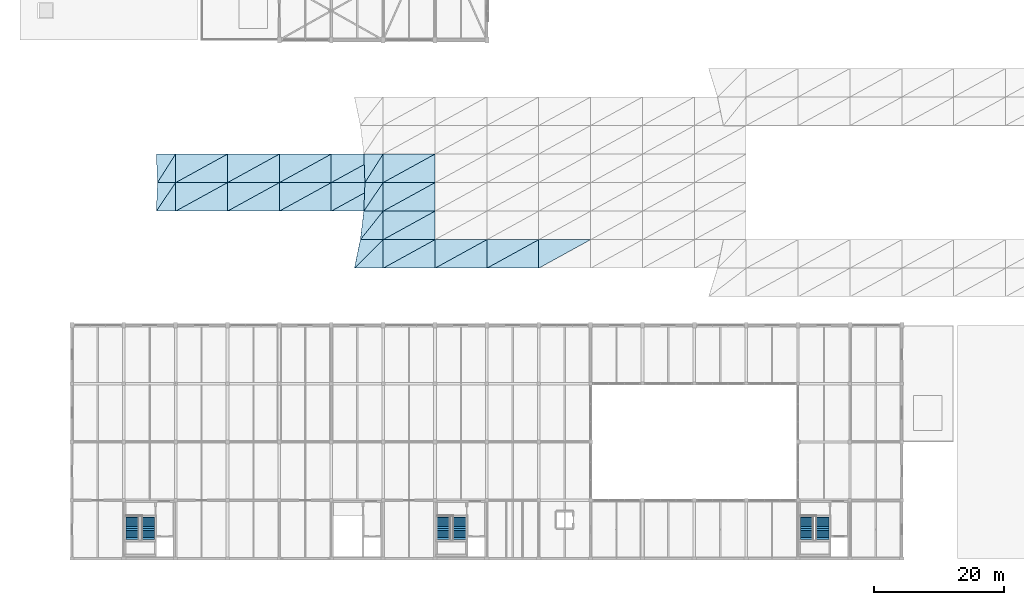
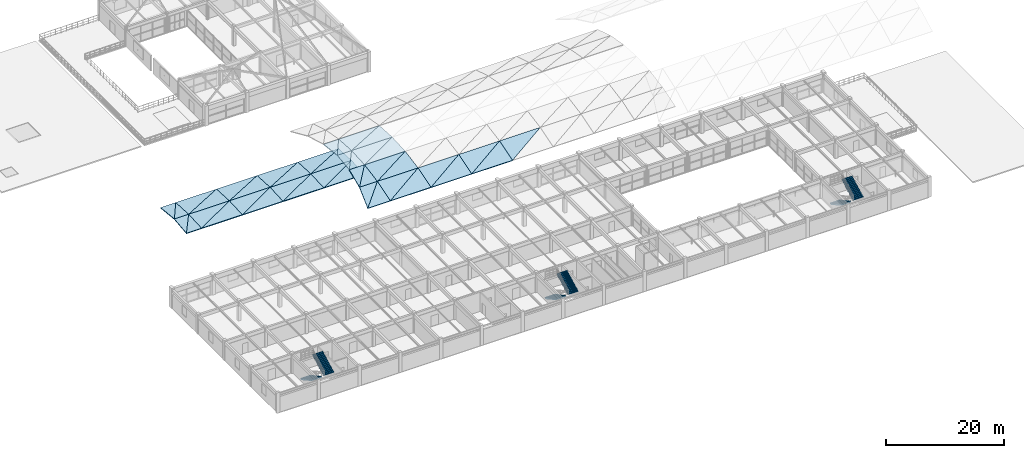
# One storey, part 49 of 63: 41 roofs, 6 stair flights, 3 elements without a shape of their own.
"""IFC4 building model written with IfcOpenShell, lengths in metres."""

from ifc_helpers import new_model, si_unit, direction, frame, origin, place, context, subcontext, project, spatial, polyline, outline, extrude, material, layer, layer_set, type_object, element, aggregate, save


model = new_model("IFC4")

# Units and contexts
model_context = context("Model", 3, precision=1e-05, world=origin(), true_north=direction((0.0, 1.0)))
body_context = subcontext(model_context, "Body", "Model", "MODEL_VIEW")
ifc_project = project(units=[si_unit("LENGTHUNIT", "METRE"), si_unit("AREAUNIT", "SQUARE_METRE"), si_unit("VOLUMEUNIT", "CUBIC_METRE"), si_unit("PLANEANGLEUNIT", "RADIAN"), si_unit("MASSUNIT", "GRAM", prefix="KILO")], contexts=[model_context])

# Site, building, storey
site_placement = place(None, origin())
site = spatial("IfcSite", under=ifc_project, at=site_placement, CompositionType="ELEMENT")
building_placement = place(site_placement, origin())
building = spatial("IfcBuilding", under=site, at=building_placement, Name="Varnabhumi Central Station", CompositionType="ELEMENT")
storey_placement = place(building_placement, frame((0.0, 0.0, 20.39990234375)))
storey = spatial("IfcBuildingStorey", under=building, at=storey_placement, Name="L04", CompositionType="ELEMENT", Elevation=20.39990234375)

# Stair, stair flights
ifc_material_1 = material(Name="Concrete M40", Category="concrete")
stair_type = type_object("IfcStairType", Name="STR-CORE-4200", PredefinedType="DOUBLE_RETURN_STAIR", material=ifc_material_1)
stair_1_placement = place(storey_placement, origin())
stair_1 = element("IfcStair", 1, at=stair_1_placement, inside=storey, type_object=stair_type, Name="Core Stair ST-S1 (L04)", PredefinedType="DOUBLE_RETURN_STAIR")
stair_flight_type = type_object("IfcStairFlightType", Name="FLT-CORE-1500", PredefinedType="STRAIGHT", material=ifc_material_1)
stair_flight_1_placement = place(storey_placement, frame((41.35009765625, 6.659912109375, 0.0), z_axis=(0.0, 0.0, 1.0), x_axis=(0.0, -1.0, 0.0)))
stair_flight_1 = element("IfcStairFlight", 2, at=stair_flight_1_placement, type_object=stair_flight_type, Name="ST-S1 L04 Lower Flight", NumberOfRisers=14, NumberOfTreads=13, PredefinedType="STRAIGHT", RiserHeight=0.15, TreadLength=0.285, context=body_context, shape_type="SweptSolid", body=[
    extrude(outline(polyline([(-0.06005859375, -0.080078125), (-0.06005859375, 0.0), (0.0, 0.0), (0.0, 0.14990234375), (0.284912109375, 0.14990234375), (0.284912109375, 0.300048828125), (0.570068359375, 0.300048828125), (0.570068359375, 0.449951171875), (0.85498046875, 0.449951171875), (0.85498046875, 0.60009765625), (1.139892578125, 0.60009765625), (1.139892578125, 0.75), (1.425048828125, 0.75), (1.425048828125, 0.89990234375), (1.7099609375, 0.89990234375), (1.7099609375, 1.050048828125), (1.9951171875, 1.050048828125), (1.9951171875, 1.199951171875), (2.280029296875, 1.199951171875), (2.280029296875, 1.35009765625), (2.56494140625, 1.35009765625), (2.56494140625, 1.5), (2.85009765625, 1.5), (2.85009765625, 1.64990234375), (3.135009765625, 1.64990234375), (3.135009765625, 1.800048828125), (3.419921875, 1.800048828125), (3.419921875, 1.949951171875), (3.705078125, 1.949951171875), (3.705078125, 2.10009765625), (3.764892578125, 2.10009765625), (3.764892578125, 1.940185546875), (3.705078125, 1.769287109375), (0.34326171875, -0.080078125), (-0.06005859375, -0.080078125)])), frame((0.0, 1.0, 0.0), z_axis=(0.0, -1.0, 0.0), x_axis=(1.0, 0.0, 0.0)), (0.0, 0.0, 1.0), 2.0),
])
stair_flight_2_placement = place(storey_placement, frame((43.75, 2.955078125, 2.10009765625), z_axis=(0.0, 0.0, 1.0), x_axis=(0.0, 1.0, 0.0)))
stair_flight_2 = element("IfcStairFlight", 3, at=stair_flight_2_placement, type_object=stair_flight_type, Name="ST-S1 L04 Upper Flight", NumberOfRisers=14, NumberOfTreads=13, PredefinedType="STRAIGHT", RiserHeight=0.15, TreadLength=0.285, context=body_context, shape_type="SweptSolid", body=[
    extrude(outline(polyline([(-0.06005859375, -0.080078125), (-0.06005859375, 0.0), (0.0, 0.0), (0.0, 0.14990234375), (0.284912109375, 0.14990234375), (0.284912109375, 0.300048828125), (0.570068359375, 0.300048828125), (0.570068359375, 0.449951171875), (0.85498046875, 0.449951171875), (0.85498046875, 0.60009765625), (1.139892578125, 0.60009765625), (1.139892578125, 0.75), (1.425048828125, 0.75), (1.425048828125, 0.89990234375), (1.7099609375, 0.89990234375), (1.7099609375, 1.050048828125), (1.9951171875, 1.050048828125), (1.9951171875, 1.199951171875), (2.280029296875, 1.199951171875), (2.280029296875, 1.35009765625), (2.56494140625, 1.35009765625), (2.56494140625, 1.5), (2.85009765625, 1.5), (2.85009765625, 1.64990234375), (3.135009765625, 1.64990234375), (3.135009765625, 1.800048828125), (3.419921875, 1.800048828125), (3.419921875, 1.949951171875), (3.705078125, 1.949951171875), (3.705078125, 2.10009765625), (3.764892578125, 2.10009765625), (3.764892578125, 1.940185546875), (3.705078125, 1.769287109375), (0.34326171875, -0.080078125), (-0.06005859375, -0.080078125)])), frame((0.0, 1.0, 0.0), z_axis=(0.0, -1.0, 0.0), x_axis=(1.0, 0.0, 0.0)), (0.0, 0.0, 1.0), 2.0),
])
aggregate(stair_1, [stair_flight_1, stair_flight_2])

stair_2_placement = place(storey_placement, origin())
stair_2 = element("IfcStair", 4, at=stair_2_placement, inside=storey, type_object=stair_type, Name="Core Stair ST-S2 (L04)", PredefinedType="DOUBLE_RETURN_STAIR")
stair_flight_3_placement = place(storey_placement, frame((89.35009765625, 6.659912109375, 0.0), z_axis=(0.0, 0.0, 1.0), x_axis=(0.0, -1.0, 0.0)))
stair_flight_3 = element("IfcStairFlight", 5, at=stair_flight_3_placement, type_object=stair_flight_type, Name="ST-S2 L04 Lower Flight", NumberOfRisers=14, NumberOfTreads=13, PredefinedType="STRAIGHT", RiserHeight=0.15, TreadLength=0.285, context=body_context, shape_type="SweptSolid", body=[
    extrude(outline(polyline([(-0.06005859375, -0.080078125), (-0.06005859375, 0.0), (0.0, 0.0), (0.0, 0.14990234375), (0.284912109375, 0.14990234375), (0.284912109375, 0.300048828125), (0.570068359375, 0.300048828125), (0.570068359375, 0.449951171875), (0.85498046875, 0.449951171875), (0.85498046875, 0.60009765625), (1.139892578125, 0.60009765625), (1.139892578125, 0.75), (1.425048828125, 0.75), (1.425048828125, 0.89990234375), (1.7099609375, 0.89990234375), (1.7099609375, 1.050048828125), (1.9951171875, 1.050048828125), (1.9951171875, 1.199951171875), (2.280029296875, 1.199951171875), (2.280029296875, 1.35009765625), (2.56494140625, 1.35009765625), (2.56494140625, 1.5), (2.85009765625, 1.5), (2.85009765625, 1.64990234375), (3.135009765625, 1.64990234375), (3.135009765625, 1.800048828125), (3.419921875, 1.800048828125), (3.419921875, 1.949951171875), (3.705078125, 1.949951171875), (3.705078125, 2.10009765625), (3.764892578125, 2.10009765625), (3.764892578125, 1.940185546875), (3.705078125, 1.769287109375), (0.34326171875, -0.080078125), (-0.06005859375, -0.080078125)])), frame((0.0, 1.0, 0.0), z_axis=(0.0, -1.0, 0.0), x_axis=(1.0, 0.0, 0.0)), (0.0, 0.0, 1.0), 2.0),
])
stair_flight_4_placement = place(storey_placement, frame((91.75, 2.955078125, 2.10009765625), z_axis=(0.0, 0.0, 1.0), x_axis=(0.0, 1.0, 0.0)))
stair_flight_4 = element("IfcStairFlight", 6, at=stair_flight_4_placement, type_object=stair_flight_type, Name="ST-S2 L04 Upper Flight", NumberOfRisers=14, NumberOfTreads=13, PredefinedType="STRAIGHT", RiserHeight=0.15, TreadLength=0.285, context=body_context, shape_type="SweptSolid", body=[
    extrude(outline(polyline([(-0.06005859375, -0.080078125), (-0.06005859375, 0.0), (0.0, 0.0), (0.0, 0.14990234375), (0.284912109375, 0.14990234375), (0.284912109375, 0.300048828125), (0.570068359375, 0.300048828125), (0.570068359375, 0.449951171875), (0.85498046875, 0.449951171875), (0.85498046875, 0.60009765625), (1.139892578125, 0.60009765625), (1.139892578125, 0.75), (1.425048828125, 0.75), (1.425048828125, 0.89990234375), (1.7099609375, 0.89990234375), (1.7099609375, 1.050048828125), (1.9951171875, 1.050048828125), (1.9951171875, 1.199951171875), (2.280029296875, 1.199951171875), (2.280029296875, 1.35009765625), (2.56494140625, 1.35009765625), (2.56494140625, 1.5), (2.85009765625, 1.5), (2.85009765625, 1.64990234375), (3.135009765625, 1.64990234375), (3.135009765625, 1.800048828125), (3.419921875, 1.800048828125), (3.419921875, 1.949951171875), (3.705078125, 1.949951171875), (3.705078125, 2.10009765625), (3.764892578125, 2.10009765625), (3.764892578125, 1.940185546875), (3.705078125, 1.769287109375), (0.34326171875, -0.080078125), (-0.06005859375, -0.080078125)])), frame((0.0, 1.0, 0.0), z_axis=(0.0, -1.0, 0.0), x_axis=(1.0, 0.0, 0.0)), (0.0, 0.0, 1.0), 2.0),
])
aggregate(stair_2, [stair_flight_3, stair_flight_4])

stair_3_placement = place(storey_placement, origin())
stair_3 = element("IfcStair", 7, at=stair_3_placement, inside=storey, type_object=stair_type, Name="Core Stair ST-S3 (L04)", PredefinedType="DOUBLE_RETURN_STAIR")
stair_flight_5_placement = place(storey_placement, frame((145.35009765625, 6.659912109375, 0.0), z_axis=(0.0, 0.0, 1.0), x_axis=(0.0, -1.0, 0.0)))
stair_flight_5 = element("IfcStairFlight", 8, at=stair_flight_5_placement, type_object=stair_flight_type, Name="ST-S3 L04 Lower Flight", NumberOfRisers=14, NumberOfTreads=13, PredefinedType="STRAIGHT", RiserHeight=0.15, TreadLength=0.285, context=body_context, shape_type="SweptSolid", body=[
    extrude(outline(polyline([(-0.06005859375, -0.080078125), (-0.06005859375, 0.0), (0.0, 0.0), (0.0, 0.14990234375), (0.284912109375, 0.14990234375), (0.284912109375, 0.300048828125), (0.570068359375, 0.300048828125), (0.570068359375, 0.449951171875), (0.85498046875, 0.449951171875), (0.85498046875, 0.60009765625), (1.139892578125, 0.60009765625), (1.139892578125, 0.75), (1.425048828125, 0.75), (1.425048828125, 0.89990234375), (1.7099609375, 0.89990234375), (1.7099609375, 1.050048828125), (1.9951171875, 1.050048828125), (1.9951171875, 1.199951171875), (2.280029296875, 1.199951171875), (2.280029296875, 1.35009765625), (2.56494140625, 1.35009765625), (2.56494140625, 1.5), (2.85009765625, 1.5), (2.85009765625, 1.64990234375), (3.135009765625, 1.64990234375), (3.135009765625, 1.800048828125), (3.419921875, 1.800048828125), (3.419921875, 1.949951171875), (3.705078125, 1.949951171875), (3.705078125, 2.10009765625), (3.764892578125, 2.10009765625), (3.764892578125, 1.940185546875), (3.705078125, 1.769287109375), (0.34326171875, -0.080078125), (-0.06005859375, -0.080078125)])), frame((0.0, 1.0, 0.0), z_axis=(0.0, -1.0, 0.0), x_axis=(1.0, 0.0, 0.0)), (0.0, 0.0, 1.0), 2.0),
])
stair_flight_6_placement = place(storey_placement, frame((147.75, 2.955078125, 2.10009765625), z_axis=(0.0, 0.0, 1.0), x_axis=(0.0, 1.0, 0.0)))
stair_flight_6 = element("IfcStairFlight", 9, at=stair_flight_6_placement, type_object=stair_flight_type, Name="ST-S3 L04 Upper Flight", NumberOfRisers=14, NumberOfTreads=13, PredefinedType="STRAIGHT", RiserHeight=0.15, TreadLength=0.285, context=body_context, shape_type="SweptSolid", body=[
    extrude(outline(polyline([(-0.06005859375, -0.080078125), (-0.06005859375, 0.0), (0.0, 0.0), (0.0, 0.14990234375), (0.284912109375, 0.14990234375), (0.284912109375, 0.300048828125), (0.570068359375, 0.300048828125), (0.570068359375, 0.449951171875), (0.85498046875, 0.449951171875), (0.85498046875, 0.60009765625), (1.139892578125, 0.60009765625), (1.139892578125, 0.75), (1.425048828125, 0.75), (1.425048828125, 0.89990234375), (1.7099609375, 0.89990234375), (1.7099609375, 1.050048828125), (1.9951171875, 1.050048828125), (1.9951171875, 1.199951171875), (2.280029296875, 1.199951171875), (2.280029296875, 1.35009765625), (2.56494140625, 1.35009765625), (2.56494140625, 1.5), (2.85009765625, 1.5), (2.85009765625, 1.64990234375), (3.135009765625, 1.64990234375), (3.135009765625, 1.800048828125), (3.419921875, 1.800048828125), (3.419921875, 1.949951171875), (3.705078125, 1.949951171875), (3.705078125, 2.10009765625), (3.764892578125, 2.10009765625), (3.764892578125, 1.940185546875), (3.705078125, 1.769287109375), (0.34326171875, -0.080078125), (-0.06005859375, -0.080078125)])), frame((0.0, 1.0, 0.0), z_axis=(0.0, -1.0, 0.0), x_axis=(1.0, 0.0, 0.0)), (0.0, 0.0, 1.0), 2.0),
])
aggregate(stair_3, [stair_flight_5, stair_flight_6])

# Roofs
ifc_material_2 = material(Name="Champagne bronze diamond metal panel")
ifc_layer = layer(ifc_material_2, 0.159912109375, Name="Champagne bronze diamond metal panel")
ifc_layer_set = layer_set([ifc_layer], Name="Champagne bronze diamond metal panel")
roof_type = type_object("IfcRoofType", Name="ROOF-VAULT-BARREL", PredefinedType="BARREL_ROOF", material=ifc_layer_set)
roof_1_placement = place(storey_placement, frame((45.0244140625, 53.60009765625, 0.1181640625), z_axis=(0.0, -0.052142930518, 0.998639632098), x_axis=(1.0, 0.0, 0.0)))
element("IfcRoof", 10, at=roof_1_placement, inside=storey, type_object=roof_type, Name="Ticket Hall Vault Diamond Shell Panel 1-5A", PredefinedType="BARREL_ROOF", context=body_context, shape_type="SweptSolid", body=[
    extrude(outline(polyline([(0.0, 0.0), (2.9755859375, 0.0), (2.9755859375, 4.405895983224877), (0.0, 0.0)])), origin(), (0.0, 0.0, -1.0), 0.159912109375),
])
roof_2_placement = place(storey_placement, frame((45.0244140625, 53.60009765625, 0.1181640625), z_axis=(0.0, -0.052142930518, 0.998639632098), x_axis=(0.559680378441, 0.827581209408, 0.043211292756)))
element("IfcRoof", 11, at=roof_2_placement, inside=storey, type_object=roof_type, Name="Ticket Hall Vault Diamond Shell Panel 1-5B", PredefinedType="BARREL_ROOF", context=body_context, shape_type="SweptSolid", body=[
    extrude(outline(polyline([(0.0, 0.0), (5.316580770236153, -3.7296554733501353e-16), (3.7494483824567766, 2.320424426491217), (0.0, 0.0)])), origin(), (0.0, 0.0, -1.0), 0.159912109375),
])
roof_3_placement = place(storey_placement, frame((45.199951171875, 58.0, 0.347900390625), z_axis=(0.0, 0.052142930518, 0.998639632098), x_axis=(1.0, 0.0, 0.0)))
element("IfcRoof", 12, at=roof_3_placement, inside=storey, type_object=roof_type, Name="Ticket Hall Vault Diamond Shell Panel 1-6A", PredefinedType="BARREL_ROOF", context=body_context, shape_type="SweptSolid", body=[
    extrude(outline(polyline([(0.0, 0.0), (2.800048828125, 0.0), (2.800048828125, 4.405895983224878), (0.0, 0.0)])), origin(), (0.0, 0.0, -1.0), 0.159912109375),
])
roof_4_placement = place(storey_placement, frame((45.199951171875, 58.0, 0.347900390625), z_axis=(0.0, 0.052142930518, 0.998639632098), x_axis=(0.536370492597, 0.842834511953, -0.044007728096)))
element("IfcRoof", 13, at=roof_4_placement, inside=storey, type_object=roof_type, Name="Ticket Hall Vault Diamond Shell Panel 1-6B", PredefinedType="BARREL_ROOF", context=body_context, shape_type="SweptSolid", body=[
    extrude(outline(polyline([(0.0, 0.0), (5.220363287634424, 6.42715047849407e-16), (3.6243467925721413, 2.5113428716399646), (0.0, 0.0)])), origin(), (0.0, 0.0, -1.0), 0.159912109375),
])
roof_5_placement = place(storey_placement, frame((48.0, 53.60009765625, 0.1181640625), z_axis=(0.0, -0.052142930518, 0.998639632098), x_axis=(1.0, 0.0, 0.0)))
element("IfcRoof", 14, at=roof_5_placement, inside=storey, type_object=roof_type, Name="Ticket Hall Vault Diamond Shell Panel 2-5A", PredefinedType="BARREL_ROOF", context=body_context, shape_type="SweptSolid", body=[
    extrude(outline(polyline([(0.0, 0.0), (8.0, 0.0), (8.0, 4.405895983224877), (0.0, 0.0)])), origin(), (0.0, 0.0, -1.0), 0.159912109375),
])
roof_6_placement = place(storey_placement, frame((48.0, 53.60009765625, 0.1181640625), z_axis=(0.0, -0.052142930518, 0.998639632098), x_axis=(0.875943167688, 0.481758049563, 0.025154495874)))
element("IfcRoof", 15, at=roof_6_placement, inside=storey, type_object=roof_type, Name="Ticket Hall Vault Diamond Shell Panel 2-5B", PredefinedType="BARREL_ROOF", context=body_context, shape_type="SweptSolid", body=[
    extrude(outline(polyline([(0.0, 0.0), (9.133012614411363, -4.77048955893622e-16), (2.125467272909075, 3.859314484048891), (0.0, 0.0)])), origin(), (0.0, 0.0, -1.0), 0.159912109375),
])
roof_7_placement = place(storey_placement, frame((48.0, 58.0, 0.347900390625), z_axis=(0.0, 0.052142930518, 0.998639632098), x_axis=(1.0, 0.0, 0.0)))
element("IfcRoof", 16, at=roof_7_placement, inside=storey, type_object=roof_type, Name="Ticket Hall Vault Diamond Shell Panel 2-6A", PredefinedType="BARREL_ROOF", context=body_context, shape_type="SweptSolid", body=[
    extrude(outline(polyline([(0.0, 0.0), (8.0, 0.0), (8.0, 4.405895983224877), (0.0, 0.0)])), origin(), (0.0, 0.0, -1.0), 0.159912109375),
])
roof_8_placement = place(storey_placement, frame((48.0, 58.0, 0.347900390625), z_axis=(0.0, 0.052142930518, 0.998639632098), x_axis=(0.875943167688, 0.481758049563, -0.025154495874)))
element("IfcRoof", 17, at=roof_8_placement, inside=storey, type_object=roof_type, Name="Ticket Hall Vault Diamond Shell Panel 2-6B", PredefinedType="BARREL_ROOF", context=body_context, shape_type="SweptSolid", body=[
    extrude(outline(polyline([(0.0, 0.0), (9.133012614411363, -4.77048955893622e-16), (2.125467272909075, 3.859314484048891), (0.0, 0.0)])), origin(), (0.0, 0.0, -1.0), 0.159912109375),
])
roof_9_placement = place(storey_placement, frame((56.0, 53.60009765625, 0.1181640625), z_axis=(0.0, -0.052142930518, 0.998639632098), x_axis=(1.0, 0.0, 0.0)))
element("IfcRoof", 18, at=roof_9_placement, inside=storey, type_object=roof_type, Name="Ticket Hall Vault Diamond Shell Panel 3-5A", PredefinedType="BARREL_ROOF", context=body_context, shape_type="SweptSolid", body=[
    extrude(outline(polyline([(0.0, 0.0), (8.0, 0.0), (8.0, 4.405895983224877), (0.0, 0.0)])), origin(), (0.0, 0.0, -1.0), 0.159912109375),
])
roof_10_placement = place(storey_placement, frame((56.0, 53.60009765625, 0.1181640625), z_axis=(0.0, -0.052142930518, 0.998639632098), x_axis=(0.875943167688, 0.481758049563, 0.025154495874)))
element("IfcRoof", 19, at=roof_10_placement, inside=storey, type_object=roof_type, Name="Ticket Hall Vault Diamond Shell Panel 3-5B", PredefinedType="BARREL_ROOF", context=body_context, shape_type="SweptSolid", body=[
    extrude(outline(polyline([(0.0, 0.0), (9.133012614411363, -4.77048955893622e-16), (2.125467272909075, 3.859314484048891), (0.0, 0.0)])), origin(), (0.0, 0.0, -1.0), 0.159912109375),
])
roof_11_placement = place(storey_placement, frame((56.0, 58.0, 0.347900390625), z_axis=(0.0, 0.052142930518, 0.998639632098), x_axis=(1.0, 0.0, 0.0)))
element("IfcRoof", 20, at=roof_11_placement, inside=storey, type_object=roof_type, Name="Ticket Hall Vault Diamond Shell Panel 3-6A", PredefinedType="BARREL_ROOF", context=body_context, shape_type="SweptSolid", body=[
    extrude(outline(polyline([(0.0, 0.0), (8.0, 0.0), (8.0, 4.405895983224877), (0.0, 0.0)])), origin(), (0.0, 0.0, -1.0), 0.159912109375),
])
roof_12_placement = place(storey_placement, frame((56.0, 58.0, 0.347900390625), z_axis=(0.0, 0.052142930518, 0.998639632098), x_axis=(0.875943167688, 0.481758049563, -0.025154495874)))
element("IfcRoof", 21, at=roof_12_placement, inside=storey, type_object=roof_type, Name="Ticket Hall Vault Diamond Shell Panel 3-6B", PredefinedType="BARREL_ROOF", context=body_context, shape_type="SweptSolid", body=[
    extrude(outline(polyline([(0.0, 0.0), (9.133012614411363, -4.77048955893622e-16), (2.125467272909075, 3.859314484048891), (0.0, 0.0)])), origin(), (0.0, 0.0, -1.0), 0.159912109375),
])
roof_13_placement = place(storey_placement, frame((64.0, 53.60009765625, 0.1181640625), z_axis=(0.0, -0.052142930518, 0.998639632098), x_axis=(1.0, 0.0, 0.0)))
element("IfcRoof", 22, at=roof_13_placement, inside=storey, type_object=roof_type, Name="Ticket Hall Vault Diamond Shell Panel 4-5A", PredefinedType="BARREL_ROOF", context=body_context, shape_type="SweptSolid", body=[
    extrude(outline(polyline([(0.0, 0.0), (8.0, 0.0), (8.0, 4.405895983224877), (0.0, 0.0)])), origin(), (0.0, 0.0, -1.0), 0.159912109375),
])
roof_14_placement = place(storey_placement, frame((64.0, 53.60009765625, 0.1181640625), z_axis=(0.0, -0.052142930518, 0.998639632098), x_axis=(0.875943167688, 0.481758049563, 0.025154495874)))
element("IfcRoof", 23, at=roof_14_placement, inside=storey, type_object=roof_type, Name="Ticket Hall Vault Diamond Shell Panel 4-5B", PredefinedType="BARREL_ROOF", context=body_context, shape_type="SweptSolid", body=[
    extrude(outline(polyline([(0.0, 0.0), (9.133012614411363, -4.77048955893622e-16), (2.125467272909075, 3.859314484048891), (0.0, 0.0)])), origin(), (0.0, 0.0, -1.0), 0.159912109375),
])
roof_15_placement = place(storey_placement, frame((64.0, 58.0, 0.347900390625), z_axis=(0.0, 0.052142930518, 0.998639632098), x_axis=(1.0, 0.0, 0.0)))
element("IfcRoof", 24, at=roof_15_placement, inside=storey, type_object=roof_type, Name="Ticket Hall Vault Diamond Shell Panel 4-6A", PredefinedType="BARREL_ROOF", context=body_context, shape_type="SweptSolid", body=[
    extrude(outline(polyline([(0.0, 0.0), (8.0, 0.0), (8.0, 4.405895983224877), (0.0, 0.0)])), origin(), (0.0, 0.0, -1.0), 0.159912109375),
])
roof_16_placement = place(storey_placement, frame((64.0, 58.0, 0.347900390625), z_axis=(0.0, 0.052142930518, 0.998639632098), x_axis=(0.875943167688, 0.481758049563, -0.025154495874)))
element("IfcRoof", 25, at=roof_16_placement, inside=storey, type_object=roof_type, Name="Ticket Hall Vault Diamond Shell Panel 4-6B", PredefinedType="BARREL_ROOF", context=body_context, shape_type="SweptSolid", body=[
    extrude(outline(polyline([(0.0, 0.0), (9.133012614411363, -4.77048955893622e-16), (2.125467272909075, 3.859314484048891), (0.0, 0.0)])), origin(), (0.0, 0.0, -1.0), 0.159912109375),
])
roof_17_placement = place(storey_placement, frame((72.0, 53.60009765625, 0.1181640625), z_axis=(0.0, -0.052142930518, 0.998639632098), x_axis=(1.0, 0.0, 0.0)))
element("IfcRoof", 26, at=roof_17_placement, inside=storey, type_object=roof_type, Name="Ticket Hall Vault Diamond Shell Panel 5-5A", PredefinedType="BARREL_ROOF", context=body_context, shape_type="SweptSolid", body=[
    extrude(outline(polyline([(0.0, 0.0), (8.0, 0.0), (8.0, 4.405895983224877), (0.0, 0.0)])), origin(), (0.0, 0.0, -1.0), 0.159912109375),
])
roof_18_placement = place(storey_placement, frame((72.0, 53.60009765625, 0.1181640625), z_axis=(0.0, -0.052142930518, 0.998639632098), x_axis=(0.875943167688, 0.481758049563, 0.025154495874)))
element("IfcRoof", 27, at=roof_18_placement, inside=storey, type_object=roof_type, Name="Ticket Hall Vault Diamond Shell Panel 5-5B", PredefinedType="BARREL_ROOF", context=body_context, shape_type="SweptSolid", body=[
    extrude(outline(polyline([(0.0, 0.0), (9.133012614411363, -4.77048955893622e-16), (2.125467272909075, 3.859314484048891), (0.0, 0.0)])), origin(), (0.0, 0.0, -1.0), 0.159912109375),
])
roof_19_placement = place(storey_placement, frame((72.0, 58.0, 0.347900390625), z_axis=(0.0, 0.052142930518, 0.998639632098), x_axis=(1.0, 0.0, 0.0)))
element("IfcRoof", 28, at=roof_19_placement, inside=storey, type_object=roof_type, Name="Ticket Hall Vault Diamond Shell Panel 5-6A", PredefinedType="BARREL_ROOF", context=body_context, shape_type="SweptSolid", body=[
    extrude(outline(polyline([(0.0, 0.0), (8.0, 0.0), (8.0, 4.405895983224877), (0.0, 0.0)])), origin(), (0.0, 0.0, -1.0), 0.159912109375),
])
roof_20_placement = place(storey_placement, frame((72.0, 58.0, 0.347900390625), z_axis=(0.0, 0.052142930518, 0.998639632098), x_axis=(0.875943167688, 0.481758049563, -0.025154495874)))
element("IfcRoof", 29, at=roof_20_placement, inside=storey, type_object=roof_type, Name="Ticket Hall Vault Diamond Shell Panel 5-6B", PredefinedType="BARREL_ROOF", context=body_context, shape_type="SweptSolid", body=[
    extrude(outline(polyline([(0.0, 0.0), (9.133012614411363, -4.77048955893622e-16), (2.125467272909075, 3.859314484048891), (0.0, 0.0)])), origin(), (0.0, 0.0, -1.0), 0.159912109375),
])
roof_21_placement = place(storey_placement, frame((75.577392578125, 44.800048828125, -0.053466796875), z_axis=(0.0, -0.297557021259, 0.954704047912), x_axis=(1.0, 0.0, 0.0)))
element("IfcRoof", 30, at=roof_21_placement, inside=storey, type_object=roof_type, Name="Departure Concourse Vault Diamond Shell Panel 1-3A", PredefinedType="BARREL_ROOF", context=body_context, shape_type="SweptSolid", body=[
    extrude(outline(polyline([(0.0, 0.0), (4.422607421875, 0.0), (4.422607421875, 4.608655795869396), (0.0, 0.0)])), origin(), (0.0, 0.0, -1.0), 0.159912109375),
])
roof_22_placement = place(storey_placement, frame((75.577392578125, 44.800048828125, -0.053466796875), z_axis=(0.0, -0.297557021259, 0.954704047912), x_axis=(0.69239313751, 0.688838483258, 0.214693472448)))
element("IfcRoof", 31, at=roof_22_placement, inside=storey, type_object=roof_type, Name="Departure Concourse Vault Diamond Shell Panel 1-3B", PredefinedType="BARREL_ROOF", context=body_context, shape_type="SweptSolid", body=[
    extrude(outline(polyline([(0.0, 0.0), (6.387422379397218, -6.661338147750939e-16), (3.9581299528439957, 2.5314868704194398), (0.0, 0.0)])), origin(), (0.0, 0.0, -1.0), 0.159912109375),
])
roof_23_placement = place(storey_placement, frame((76.491455078125, 49.199951171875, 1.312744140625), z_axis=(0.0, -0.17878455364, 0.983888247404), x_axis=(1.0, 0.0, 0.0)))
element("IfcRoof", 32, at=roof_23_placement, inside=storey, type_object=roof_type, Name="Departure Concourse Vault Diamond Shell Panel 1-4A", PredefinedType="BARREL_ROOF", context=body_context, shape_type="SweptSolid", body=[
    extrude(outline(polyline([(0.0, 0.0), (3.508544921875, 0.0), (3.508544921875, 4.472201488313861), (0.0, 0.0)])), origin(), (0.0, 0.0, -1.0), 0.159912109375),
])
roof_24_placement = place(storey_placement, frame((76.491455078125, 49.199951171875, 1.312744140625), z_axis=(0.0, -0.17878455364, 0.983888247404), x_axis=(0.617241871441, 0.774097157399, 0.140662941269)))
element("IfcRoof", 33, at=roof_24_placement, inside=storey, type_object=roof_type, Name="Departure Concourse Vault Diamond Shell Panel 1-4B", PredefinedType="BARREL_ROOF", context=body_context, shape_type="SweptSolid", body=[
    extrude(outline(polyline([(0.0, 0.0), (5.684230257553927, 4.718447854656915e-16), (3.8475740248574555, 2.3411120337021387), (0.0, 0.0)])), origin(), (0.0, 0.0, -1.0), 0.159912109375),
])
roof_25_placement = place(storey_placement, frame((77.0244140625, 53.60009765625, 2.110107421875), z_axis=(0.0, -0.059709058743, 0.998215822507), x_axis=(1.0, 0.0, 0.0)))
element("IfcRoof", 34, at=roof_25_placement, inside=storey, type_object=roof_type, Name="Departure Concourse Vault Diamond Shell Panel 1-5A", PredefinedType="BARREL_ROOF", context=body_context, shape_type="SweptSolid", body=[
    extrude(outline(polyline([(0.0, 0.0), (2.9755859375, 0.0), (2.9755859375, 4.407766581677835), (0.0, 0.0)])), origin(), (0.0, 0.0, -1.0), 0.159912109375),
])
roof_26_placement = place(storey_placement, frame((77.0244140625, 53.60009765625, 2.110107421875), z_axis=(0.0, -0.059709058743, 0.998215822507), x_axis=(0.559517226476, 0.827339961893, 0.049487985735)))
element("IfcRoof", 35, at=roof_26_placement, inside=storey, type_object=roof_type, Name="Departure Concourse Vault Diamond Shell Panel 1-5B", PredefinedType="BARREL_ROOF", context=body_context, shape_type="SweptSolid", body=[
    extrude(outline(polyline([(0.0, 0.0), (5.318131054233589, -4.215378046623641e-16), (3.7514554999240644, 2.320732890147664), (0.0, 0.0)])), origin(), (0.0, 0.0, -1.0), 0.159912109375),
])
roof_27_placement = place(storey_placement, frame((77.199951171875, 58.0, 2.373291015625), z_axis=(0.0, 0.059709058743, 0.998215822507), x_axis=(1.0, 0.0, 0.0)))
element("IfcRoof", 36, at=roof_27_placement, inside=storey, type_object=roof_type, Name="Departure Concourse Vault Diamond Shell Panel 1-6A", PredefinedType="BARREL_ROOF", context=body_context, shape_type="SweptSolid", body=[
    extrude(outline(polyline([(0.0, 0.0), (2.800048828125, 0.0), (2.800048828125, 4.407766581677835), (0.0, 0.0)])), origin(), (0.0, 0.0, -1.0), 0.159912109375),
])
roof_28_placement = place(storey_placement, frame((77.199951171875, 58.0, 2.373291015625), z_axis=(0.0, 0.059709058743, 0.998215822507), x_axis=(0.536208321513, 0.842579681777, -0.050399561478)))
element("IfcRoof", 37, at=roof_28_placement, inside=storey, type_object=roof_type, Name="Departure Concourse Vault Diamond Shell Panel 1-6B", PredefinedType="BARREL_ROOF", context=body_context, shape_type="SweptSolid", body=[
    extrude(outline(polyline([(0.0, 0.0), (5.2219421366422765, 1.1796119636642288e-16), (3.626408195578833, 2.5116494807919185), (0.0, 0.0)])), origin(), (0.0, 0.0, -1.0), 0.159912109375),
])
roof_29_placement = place(storey_placement, frame((80.0, 44.800048828125, -0.053466796875), z_axis=(0.0, -0.297557021259, 0.954704047912), x_axis=(1.0, 0.0, 0.0)))
element("IfcRoof", 38, at=roof_29_placement, inside=storey, type_object=roof_type, Name="Departure Concourse Vault Diamond Shell Panel 2-3A", PredefinedType="BARREL_ROOF", context=body_context, shape_type="SweptSolid", body=[
    extrude(outline(polyline([(0.0, 0.0), (8.0, 0.0), (8.0, 4.608655795869395), (0.0, 0.0)])), origin(), (0.0, 0.0, -1.0), 0.159912109375),
])
roof_30_placement = place(storey_placement, frame((80.0, 44.800048828125, -0.053466796875), z_axis=(0.0, -0.297557021259, 0.954704047912), x_axis=(0.866500883197, 0.476564908355, 0.148533186674)))
element("IfcRoof", 39, at=roof_30_placement, inside=storey, type_object=roof_type, Name="Departure Concourse Vault Diamond Shell Panel 2-3B", PredefinedType="BARREL_ROOF", context=body_context, shape_type="SweptSolid", body=[
    extrude(outline(polyline([(0.0, 0.0), (9.23253530969693, 1.1102230246251565e-16), (2.300528244120822, 3.993404317471865), (0.0, 0.0)])), origin(), (0.0, 0.0, -1.0), 0.159912109375),
])
roof_31_placement = place(storey_placement, frame((80.0, 49.199951171875, 1.312744140625), z_axis=(0.0, -0.17878455364, 0.983888247404), x_axis=(1.0, 0.0, 0.0)))
element("IfcRoof", 40, at=roof_31_placement, inside=storey, type_object=roof_type, Name="Departure Concourse Vault Diamond Shell Panel 2-4A", PredefinedType="BARREL_ROOF", context=body_context, shape_type="SweptSolid", body=[
    extrude(outline(polyline([(0.0, 0.0), (8.0, 0.0), (8.0, 4.472201488313862), (0.0, 0.0)])), origin(), (0.0, 0.0, -1.0), 0.159912109375),
])
roof_32_placement = place(storey_placement, frame((80.0, 49.199951171875, 1.312744140625), z_axis=(0.0, -0.17878455364, 0.983888247404), x_axis=(0.872868515511, 0.480093666231, 0.087238903451)))
element("IfcRoof", 41, at=roof_32_placement, inside=storey, type_object=roof_type, Name="Departure Concourse Vault Diamond Shell Panel 2-4B", PredefinedType="BARREL_ROOF", context=body_context, shape_type="SweptSolid", body=[
    extrude(outline(polyline([(0.0, 0.0), (9.165183367073281, -1.3877787807814457e-17), (2.1822352429882166, 3.9036438741689645), (0.0, 0.0)])), origin(), (0.0, 0.0, -1.0), 0.159912109375),
])
roof_33_placement = place(storey_placement, frame((80.0, 53.60009765625, 2.110107421875), z_axis=(0.0, -0.059709058743, 0.998215822507), x_axis=(1.0, 0.0, 0.0)))
element("IfcRoof", 42, at=roof_33_placement, inside=storey, type_object=roof_type, Name="Departure Concourse Vault Diamond Shell Panel 2-5A", PredefinedType="BARREL_ROOF", context=body_context, shape_type="SweptSolid", body=[
    extrude(outline(polyline([(0.0, 0.0), (8.0, 0.0), (8.0, 4.407766581677835), (0.0, 0.0)])), origin(), (0.0, 0.0, -1.0), 0.159912109375),
])
roof_34_placement = place(storey_placement, frame((80.0, 53.60009765625, 2.110107421875), z_axis=(0.0, -0.059709058743, 0.998215822507), x_axis=(0.875856613032, 0.481710445558, 0.028813886378)))
element("IfcRoof", 43, at=roof_34_placement, inside=storey, type_object=roof_type, Name="Departure Concourse Vault Diamond Shell Panel 2-5B", PredefinedType="BARREL_ROOF", context=body_context, shape_type="SweptSolid", body=[
    extrude(outline(polyline([(0.0, 0.0), (9.133915164843383, -1.231653667943533e-16), (2.127062260588562, 3.8605715092633357), (0.0, 0.0)])), origin(), (0.0, 0.0, -1.0), 0.159912109375),
])
roof_35_placement = place(storey_placement, frame((80.0, 58.0, 2.373291015625), z_axis=(0.0, 0.059709058743, 0.998215822507), x_axis=(1.0, 0.0, 0.0)))
element("IfcRoof", 44, at=roof_35_placement, inside=storey, type_object=roof_type, Name="Departure Concourse Vault Diamond Shell Panel 2-6A", PredefinedType="BARREL_ROOF", context=body_context, shape_type="SweptSolid", body=[
    extrude(outline(polyline([(0.0, 0.0), (8.0, 0.0), (8.0, 4.407766581677835), (0.0, 0.0)])), origin(), (0.0, 0.0, -1.0), 0.159912109375),
])
roof_36_placement = place(storey_placement, frame((80.0, 58.0, 2.373291015625), z_axis=(0.0, 0.059709058743, 0.998215822507), x_axis=(0.875856613032, 0.481710445558, -0.028813886378)))
element("IfcRoof", 45, at=roof_36_placement, inside=storey, type_object=roof_type, Name="Departure Concourse Vault Diamond Shell Panel 2-6B", PredefinedType="BARREL_ROOF", context=body_context, shape_type="SweptSolid", body=[
    extrude(outline(polyline([(0.0, 0.0), (9.133915164843383, -1.231653667943533e-16), (2.127062260588562, 3.8605715092633357), (0.0, 0.0)])), origin(), (0.0, 0.0, -1.0), 0.159912109375),
])
roof_37_placement = place(storey_placement, frame((88.0, 44.800048828125, -0.053466796875), z_axis=(0.0, -0.297557021259, 0.954704047912), x_axis=(1.0, 0.0, 0.0)))
element("IfcRoof", 46, at=roof_37_placement, inside=storey, type_object=roof_type, Name="Departure Concourse Vault Diamond Shell Panel 3-3A", PredefinedType="BARREL_ROOF", context=body_context, shape_type="SweptSolid", body=[
    extrude(outline(polyline([(0.0, 0.0), (8.0, 0.0), (8.0, 4.608655795869395), (0.0, 0.0)])), origin(), (0.0, 0.0, -1.0), 0.159912109375),
])
roof_38_placement = place(storey_placement, frame((88.0, 44.800048828125, -0.053466796875), z_axis=(0.0, -0.297557021259, 0.954704047912), x_axis=(0.866500883197, 0.476564908355, 0.148533186674)))
element("IfcRoof", 47, at=roof_38_placement, inside=storey, type_object=roof_type, Name="Departure Concourse Vault Diamond Shell Panel 3-3B", PredefinedType="BARREL_ROOF", context=body_context, shape_type="SweptSolid", body=[
    extrude(outline(polyline([(0.0, 0.0), (9.23253530969693, 1.1102230246251565e-16), (2.300528244120822, 3.993404317471865), (0.0, 0.0)])), origin(), (0.0, 0.0, -1.0), 0.159912109375),
])
roof_39_placement = place(storey_placement, frame((96.0, 44.800048828125, -0.053466796875), z_axis=(0.0, -0.297557021259, 0.954704047912), x_axis=(1.0, 0.0, 0.0)))
element("IfcRoof", 48, at=roof_39_placement, inside=storey, type_object=roof_type, Name="Departure Concourse Vault Diamond Shell Panel 4-3A", PredefinedType="BARREL_ROOF", context=body_context, shape_type="SweptSolid", body=[
    extrude(outline(polyline([(0.0, 0.0), (8.0, 0.0), (8.0, 4.608655795869395), (0.0, 0.0)])), origin(), (0.0, 0.0, -1.0), 0.159912109375),
])
for number, where, z_axis, x_axis, name in (
    (49, (96.0, 44.800048828125, -0.053466796875), (0.0, -0.297557021259, 0.954704047912), (0.866500883197, 0.476564908355, 0.148533186674), "Departure Concourse Vault Diamond Shell Panel 4-3B"),
    (50, (104.0, 44.800048828125, -0.053466796875), (0.0, -0.297557021259, 0.954704047912), (0.866500883197, 0.476564908355, 0.148533186674), "Departure Concourse Vault Diamond Shell Panel 5-3B"),
):
    element("IfcRoof", number, at=place(storey_placement, frame(where, z_axis=z_axis, x_axis=x_axis)), inside=storey, type_object=roof_type, Name=name, PredefinedType="BARREL_ROOF", context=body_context, shape_type="SweptSolid", body=[
        extrude(outline(polyline([(0.0, 0.0), (9.23253530969693, 1.1102230246251565e-16), (2.300528244120822, 3.993404317471865), (0.0, 0.0)])), origin(), (0.0, 0.0, -1.0), 0.159912109375),
    ])

save(model, "model.ifc")
